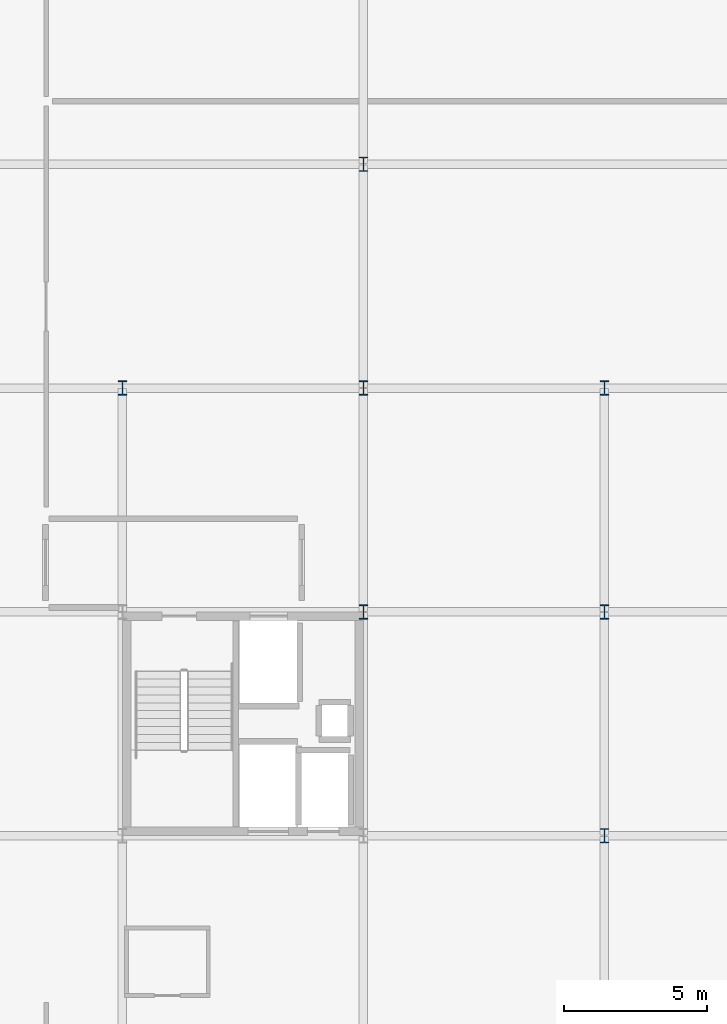
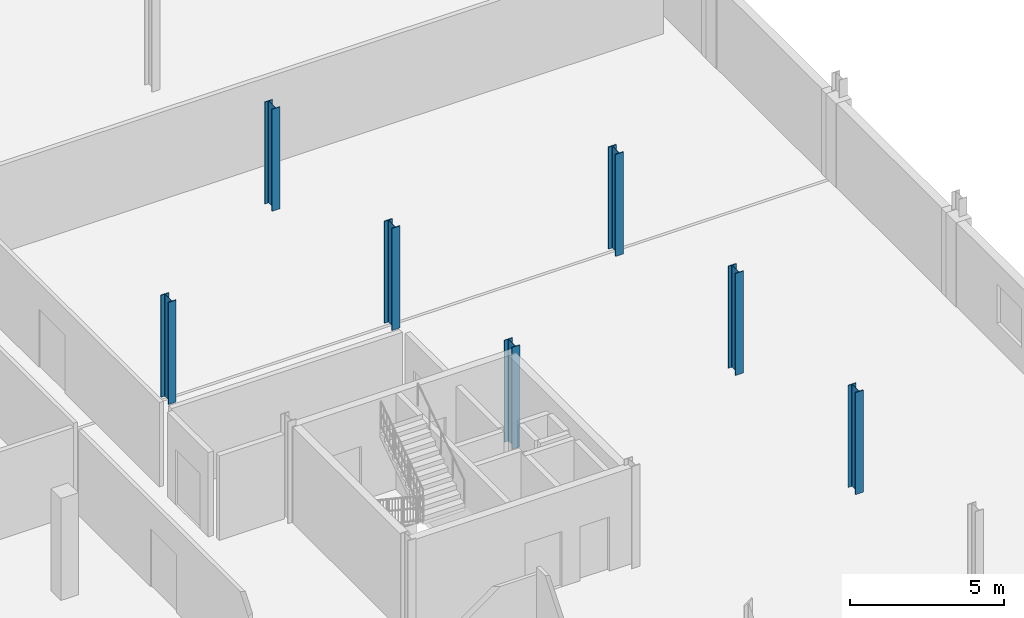
# One storey, part 15 of 77: 7 columns.
"""IFC4 building model written with IfcOpenShell, lengths in metres."""

from ifc_helpers import new_model, si_unit, direction, frame, origin, origin_2d, place, context, subcontext, project, spatial, i_section, extrude, material, material_profile, profile_set, type_object, element, save


model = new_model("IFC4")

# Units and contexts
model_context = context("Model", 3, precision=1e-05, world=origin(), true_north=direction((0.0, 1.0)))
body_context = subcontext(model_context, "Body", "Model", "MODEL_VIEW")
ifc_project = project(units=[si_unit("LENGTHUNIT", "METRE"), si_unit("AREAUNIT", "SQUARE_METRE"), si_unit("VOLUMEUNIT", "CUBIC_METRE"), si_unit("PLANEANGLEUNIT", "RADIAN"), si_unit("MASSUNIT", "GRAM", prefix="KILO")], contexts=[model_context])

# Site, building, storey
site_placement = place(None, origin())
site = spatial("IfcSite", under=ifc_project, at=site_placement, CompositionType="ELEMENT")
building_placement = place(site_placement, origin())
building = spatial("IfcBuilding", under=site, at=building_placement, Name="Nabrawat Pavilion Hospital", CompositionType="ELEMENT")
storey_placement = place(building_placement, frame((0.0, 0.0, 14.85009765625)))
storey = spatial("IfcBuildingStorey", under=building, at=storey_placement, Name="L03", CompositionType="ELEMENT", Elevation=14.85009765625)

# Columns
ifc_material = material(Name="Steel S355", Category="steel")
ifc_material_profile = material_profile(ifc_material, i_section(OverallWidth=0.300048828125, OverallDepth=0.5, WebThickness=0.014404296875, FlangeThickness=0.028076171875, FilletRadius=0.027099609375, at=origin_2d()), Name="HEB 500")
ifc_profile_set = profile_set([ifc_material_profile], Name="Steel S355")
column_type = type_object("IfcColumnType", Name="Composite Steel Column HEB 500", PredefinedType="COLUMN", material=ifc_profile_set)
for number, where, z_axis, x_axis, name in (
    (1, (168.0, 85.800048828125, 0.0), (0.0, 0.0, 1.0), (1.0, 0.0, 0.0), "L03 Structural Column G-21-M1"),
    (2, (176.39990234375, 78.0, 0.0), (0.0, 0.0, 1.0), (1.0, 0.0, 0.0), "L03 Structural Column G-22-L"),
    (3, (176.39990234375, 85.800048828125, 0.0), (0.0, 0.0, 1.0), (1.0, 0.0, 0.0), "L03 Structural Column G-22-M1"),
    (4, (176.39990234375, 93.60009765625, 0.0), (0.0, 0.0, 1.0), (1.0, 0.0, 0.0), "L03 Structural Column G-22-N"),
    (5, (184.800048828125, 70.199951171875, 0.0), (0.0, 0.0, 1.0), (1.0, 0.0, 0.0), "L03 Structural Column G-23-K"),
    (6, (184.800048828125, 78.0, 0.0), (0.0, 0.0, 1.0), (1.0, 0.0, 0.0), "L03 Structural Column G-23-L"),
    (7, (184.800048828125, 85.800048828125, 0.0), (0.0, 0.0, 1.0), (1.0, 0.0, 0.0), "L03 Structural Column G-23-M1"),
):
    element("IfcColumn", number, at=place(storey_placement, frame(where, z_axis=z_axis, x_axis=x_axis)), inside=storey, type_object=column_type, Name=name, PredefinedType="COLUMN", context=body_context, shape_type="SweptSolid", body=[
        extrude(i_section(OverallWidth=0.300048828125, OverallDepth=0.5, WebThickness=0.014404296875, FlangeThickness=0.028076171875, FilletRadius=0.027099609375, at=origin_2d()), origin(), (0.0, 0.0, 1.0), 4.0498046875),
    ])

save(model, "model.ifc")
